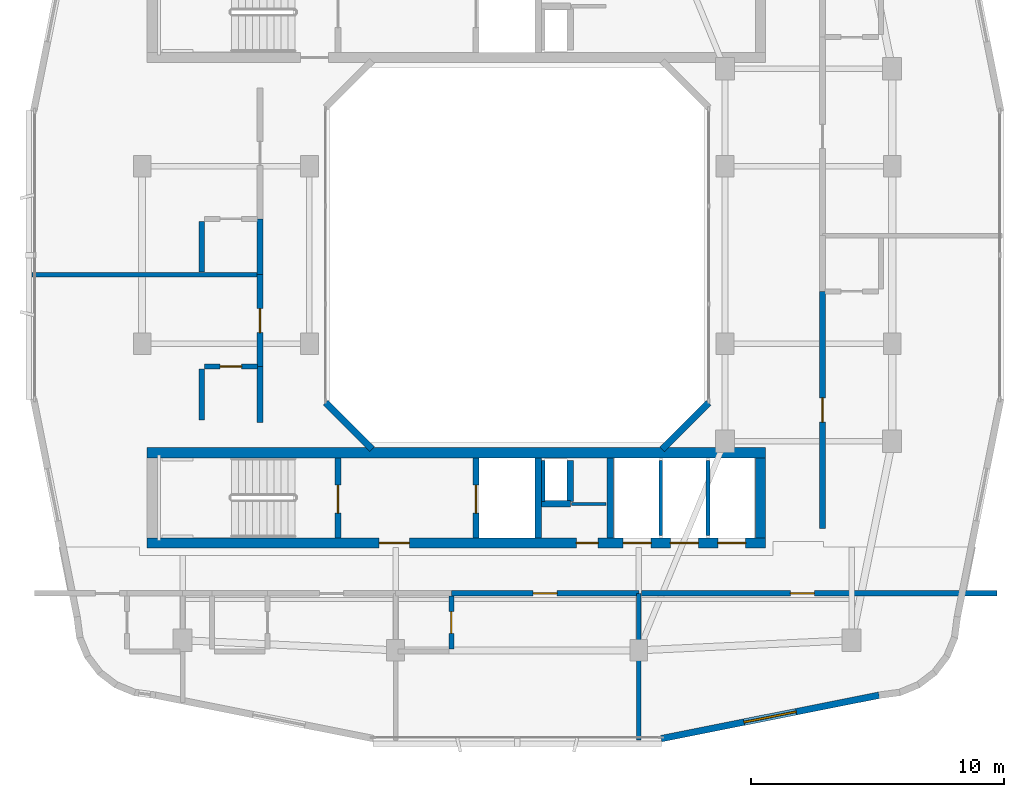
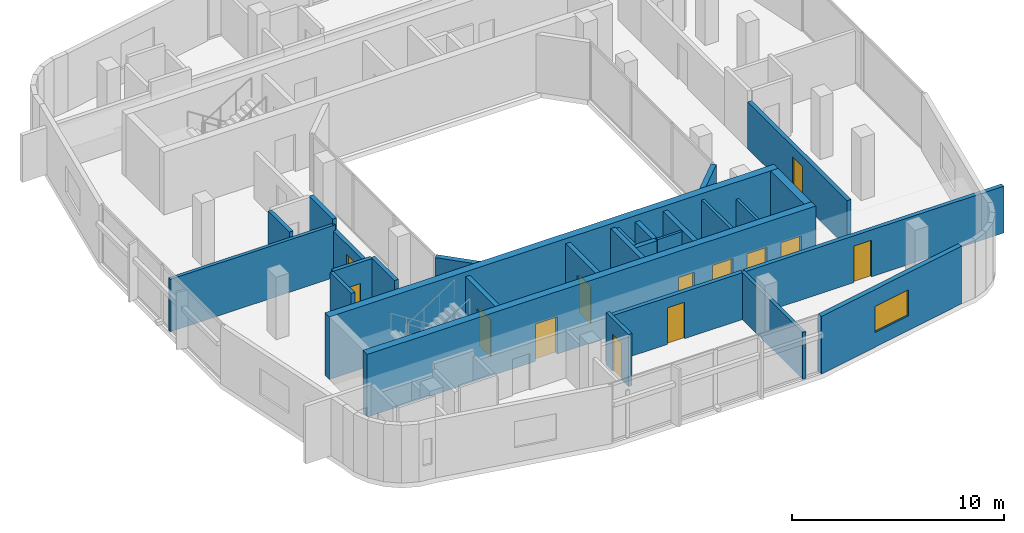
# One storey, part 7 of 14: 28 walls, 13 doors, 1 window, 14 openings.
"""IFC4 building model written with IfcOpenShell, lengths in metres."""

from ifc_helpers import new_model, si_unit, derived_unit, direction, frame, frame_2d, origin, place, context, subcontext, project, spatial, rectangle, extrude, material, layer, layer_set, type_object, element, fill, save


model = new_model("IFC4")

# Units and contexts
model_context = context("Model", 3, precision=1e-05, world=origin(), true_north=direction((0.0, 1.0)))
body_context = subcontext(model_context, "Body", "Model", "MODEL_VIEW")
ifc_project = project(units=[si_unit("LENGTHUNIT", "METRE"), si_unit("AREAUNIT", "SQUARE_METRE"), si_unit("VOLUMEUNIT", "CUBIC_METRE"), si_unit("PLANEANGLEUNIT", "RADIAN"), si_unit("MASSUNIT", "GRAM", prefix="KILO"), derived_unit("THERMALTRANSMITTANCEUNIT", [(si_unit("POWERUNIT", "WATT"), 1), (si_unit("LENGTHUNIT", "METRE"), -2), (si_unit("THERMODYNAMICTEMPERATUREUNIT", "KELVIN"), -1)])], contexts=[model_context])

# Site, building, storey
site_placement = place(None, origin())
site = spatial("IfcSite", under=ifc_project, at=site_placement, CompositionType="ELEMENT")
building_placement = place(site_placement, origin())
building = spatial("IfcBuilding", under=site, at=building_placement, Name="Kivonza Crest Hotel", CompositionType="ELEMENT")
storey_placement = place(building_placement, frame((0.0, 0.0, 217.10009765625)))
storey = spatial("IfcBuildingStorey", under=building, at=storey_placement, Name="L59", CompositionType="ELEMENT", Elevation=217.10009765625)

# Walls
ifc_material_1 = material(Name="High-density acoustic masonry inter-tenancy wall", Category="masonry")
ifc_layer_1 = layer(ifc_material_1, 0.179931640625)
ifc_layer_set_1 = layer_set([ifc_layer_1], Name="High-density acoustic masonry inter-tenancy wall")
wall_type_1 = type_object("IfcWallType", Name="WL-ACOU-180", PredefinedType="SOLIDWALL", material=ifc_layer_set_1)
wall_1_placement = place(storey_placement, frame((25.800048828125, 5.860107421875, 0.0), z_axis=(0.0, 0.0, 1.0), x_axis=(0.0, 1.0, 0.0)))
element("IfcWall", 1, at=wall_1_placement, inside=storey, type_object=wall_type_1, Name="L59 interior partition WA-L59-T1S-DIV3", PredefinedType="SOLIDWALL", context=body_context, shape_type="SweptSolid", body=[
    extrude(rectangle(XDim=5.789794921875, YDim=0.179931640625, at=frame_2d((2.89501953125, 0.0))), origin(), (0.0, 0.0, 1.0), 2.69482421875),
])
wall_2_placement = place(storey_placement, frame((1.860107421875, 24.22998046875, 0.0), z_axis=(0.0, 0.0, 1.0), x_axis=(1.0, 0.0, 0.0)))
element("IfcWall", 2, at=wall_2_placement, inside=storey, type_object=wall_type_1, Name="L59 interior partition WA-L59-T1W-DIV1", PredefinedType="SOLIDWALL", context=body_context, shape_type="SweptSolid", body=[
    extrude(rectangle(XDim=8.989990234375, YDim=0.179931640625, at=frame_2d((4.4951171875, 0.0))), origin(), (0.0, 0.0, 1.0), 3.014892578125),
])

# Wall, opening, door
ifc_material_2 = material(Name="Autoclaved aerated concrete blockwork", Category="masonry")
ifc_layer_2 = layer(ifc_material_2, 0.219970703125)
ifc_layer_set_2 = layer_set([ifc_layer_2], Name="Autoclaved aerated concrete blockwork")
wall_type_2 = type_object("IfcWallType", Name="WL-ACOU-220", PredefinedType="SOLIDWALL", material=ifc_layer_set_2)
wall_3_placement = place(storey_placement, frame((18.39990234375, 11.64990234375, 0.0), z_axis=(0.0, 0.0, 1.0), x_axis=(1.0, 0.0, 0.0)))
wall_3 = element("IfcWall", 3, at=wall_3_placement, inside=storey, type_object=wall_type_2, Name="L59 interior partition WA-L59-S06-MCORR", PredefinedType="SOLIDWALL", context=body_context, shape_type="SweptSolid", body=[
    extrude(rectangle(XDim=7.400146484375, YDim=0.219970703125, at=frame_2d((3.7001953125, 0.0))), origin(), (0.0, 0.0, 1.0), 2.69482421875),
])
opening_1_placement = place(wall_3_placement, frame((3.22509765625, 0.0, 0.0)))
opening_1 = element("IfcOpeningElement", 4, at=opening_1_placement, cuts=wall_3, Name="Opening DU-60", PredefinedType="OPENING", context=body_context, shape_type="SweptSolid", body=[
    extrude(rectangle(XDim=0.949951171875, YDim=2.10009765625, at=frame_2d((0.47509765625, 1.050048828125))), frame((0.0, 0.1201171875, 0.0), z_axis=(0.0, -1.0, 0.0), x_axis=(1.0, 0.0, 0.0)), (0.0, 0.0, 1.0), 0.239990234375),
])
ifc_material_3 = material(Name="Hardwood timber oak", Category="wood")
door_type_1 = type_object("IfcDoorType", Name="DR-UNIT-950", OperationType="NOTDEFINED", PredefinedType="DOOR", material=ifc_material_3)
door_1_placement = place(opening_1_placement, frame((0.949951171875, 0.0, 0.0), z_axis=(0.0, 0.0, 1.0), x_axis=(-1.0, 0.0, 0.0)))
door_1 = element("IfcDoor", 5, at=door_1_placement, inside=storey, type_object=door_type_1, Name="L59 S06 guest unit entrance fire door", OperationType="SINGLE_SWING_RIGHT", OverallHeight=2.10009765625, OverallWidth=0.949951171875, PredefinedType="DOOR", context=body_context, shape_type="SweptSolid", body=[
    extrude(rectangle(XDim=0.949951171875, YDim=2.10009765625, at=frame_2d((0.47509765625, 1.050048828125))), frame((0.0, 0.02490234375, 0.0), z_axis=(0.0, -1.0, 0.0), x_axis=(1.0, 0.0, 0.0)), (0.0, 0.0, 1.0), 0.050048828125),
])
fill(opening_1, door_1)

wall_4_placement = place(storey_placement, frame((25.89990234375, 11.64990234375, 0.0), z_axis=(0.0, 0.0, 1.0), x_axis=(1.0, 0.0, 0.0)))
wall_4 = element("IfcWall", 6, at=wall_4_placement, inside=storey, type_object=wall_type_2, Name="L59 interior partition WA-L59-BUS-MTG-N", PredefinedType="SOLIDWALL", context=body_context, shape_type="SweptSolid", body=[
    extrude(rectangle(XDim=14.0400390625, YDim=0.219970703125, at=frame_2d((7.02001953125, 0.0))), origin(), (0.0, 0.0, 1.0), 2.69482421875),
])
opening_2_placement = place(wall_4_placement, frame((5.881103515625, 0.0, 0.0)))
opening_2 = element("IfcOpeningElement", 7, at=opening_2_placement, cuts=wall_4, Name="Opening DF-60S", PredefinedType="OPENING", context=body_context, shape_type="SweptSolid", body=[
    extrude(rectangle(XDim=0.949951171875, YDim=2.10009765625, at=frame_2d((0.47509765625, 1.050048828125))), frame((0.0, 0.1201171875, 0.0), z_axis=(0.0, -1.0, 0.0), x_axis=(1.0, 0.0, 0.0)), (0.0, 0.0, 1.0), 0.239990234375),
])
door_type_2 = type_object("IfcDoorType", Name="DR-FD60-950", OperationType="NOTDEFINED", PredefinedType="DOOR", material=ifc_material_3)
door_2_placement = place(opening_2_placement, frame((0.949951171875, 0.0, 0.0), z_axis=(0.0, 0.0, 1.0), x_axis=(-1.0, 0.0, 0.0)))
door_2 = element("IfcDoor", 8, at=door_2_placement, inside=storey, type_object=door_type_2, Name="L59 Guest Business Office door", OperationType="SINGLE_SWING_RIGHT", OverallHeight=2.10009765625, OverallWidth=0.949951171875, PredefinedType="DOOR", context=body_context, shape_type="SweptSolid", body=[
    extrude(rectangle(XDim=0.949951171875, YDim=2.10009765625, at=frame_2d((0.47509765625, 1.050048828125))), frame((0.0, 0.02490234375, 0.0), z_axis=(0.0, -1.0, 0.0), x_axis=(1.0, 0.0, 0.0)), (0.0, 0.0, 1.0), 0.050048828125),
])
fill(opening_2, door_2)

# Wall
wall_5_placement = place(storey_placement, frame((10.85009765625, 18.39990234375, 0.0), z_axis=(0.0, 0.0, 1.0), x_axis=(0.0, 1.0, 0.0)))
element("IfcWall", 9, at=wall_5_placement, inside=storey, type_object=wall_type_2, Name="L59 interior partition WA-L59-W07-BCORR", PredefinedType="SOLIDWALL", context=body_context, shape_type="SweptSolid", body=[
    extrude(rectangle(XDim=2.2001953125, YDim=0.219970703125, at=frame_2d((1.10009765625, 0.0))), origin(), (0.0, 0.0, 1.0), 3.31982421875),
])

# Wall, opening, door
wall_6_placement = place(storey_placement, frame((10.85009765625, 20.60009765625, 0.0), z_axis=(0.0, 0.0, 1.0), x_axis=(0.0, 1.0, 0.0)))
wall_6 = element("IfcWall", 10, at=wall_6_placement, inside=storey, type_object=wall_type_2, Name="L59 interior partition WA-L59-W07-MCORR", PredefinedType="SOLIDWALL", context=body_context, shape_type="SweptSolid", body=[
    extrude(rectangle(XDim=3.6298828125, YDim=0.219970703125, at=frame_2d((1.81494140625, 0.0))), origin(), (0.0, 0.0, 1.0), 2.69482421875),
])
opening_3_placement = place(wall_6_placement, frame((1.340087890625, 0.0, 0.0)))
opening_3 = element("IfcOpeningElement", 11, at=opening_3_placement, cuts=wall_6, Name="Opening DU-60", PredefinedType="OPENING", context=body_context, shape_type="SweptSolid", body=[
    extrude(rectangle(XDim=0.949951171875, YDim=2.10009765625, at=frame_2d((0.47509765625, 1.050048828125))), frame((0.0, 0.1201171875, 0.0), z_axis=(0.0, -1.0, 0.0), x_axis=(1.0, 0.0, 0.0)), (0.0, 0.0, 1.0), 0.239990234375),
])
door_3_placement = place(opening_3_placement, origin())
door_3 = element("IfcDoor", 12, at=door_3_placement, inside=storey, type_object=door_type_1, Name="L59 W07 guest unit entrance fire door", OperationType="SINGLE_SWING_LEFT", OverallHeight=2.10009765625, OverallWidth=0.949951171875, PredefinedType="DOOR", context=body_context, shape_type="SweptSolid", body=[
    extrude(rectangle(XDim=0.949951171875, YDim=2.10009765625, at=frame_2d((0.47509765625, 1.050048828125))), frame((0.0, 0.02490234375, 0.0), z_axis=(0.0, -1.0, 0.0), x_axis=(1.0, 0.0, 0.0)), (0.0, 0.0, 1.0), 0.050048828125),
])
fill(opening_3, door_3)

# Wall
wall_7_placement = place(storey_placement, frame((10.85009765625, 24.22998046875, 0.0), z_axis=(0.0, 0.0, 1.0), x_axis=(0.0, 1.0, 0.0)))
element("IfcWall", 13, at=wall_7_placement, inside=storey, type_object=wall_type_2, Name="L59 interior partition WA-L59-W08-BCORR", PredefinedType="SOLIDWALL", context=body_context, shape_type="SweptSolid", body=[
    extrude(rectangle(XDim=2.199951171875, YDim=0.219970703125, at=frame_2d((1.10009765625, 0.0))), origin(), (0.0, 0.0, 1.0), 3.31982421875),
])

# Wall, opening, door
wall_8_placement = place(storey_placement, frame((33.050048828125, 14.199951171875, 0.0), z_axis=(0.0, 0.0, 1.0), x_axis=(0.0, 1.0, 0.0)))
wall_8 = element("IfcWall", 14, at=wall_8_placement, inside=storey, type_object=wall_type_2, Name="L59 interior partition WA-L59-E09-MCORR", PredefinedType="SOLIDWALL", context=body_context, shape_type="SweptSolid", body=[
    extrude(rectangle(XDim=9.3701171875, YDim=0.219970703125, at=frame_2d((4.68505859375, 0.0))), origin(), (0.0, 0.0, 1.0), 2.69482421875),
])
opening_4_placement = place(wall_8_placement, frame((4.2099609375, 0.0, 0.0)))
opening_4 = element("IfcOpeningElement", 15, at=opening_4_placement, cuts=wall_8, Name="Opening DU-60", PredefinedType="OPENING", context=body_context, shape_type="SweptSolid", body=[
    extrude(rectangle(XDim=0.949951171875, YDim=2.10009765625, at=frame_2d((0.47509765625, 1.050048828125))), frame((0.0, 0.1201171875, 0.0), z_axis=(0.0, -1.0, 0.0), x_axis=(1.0, 0.0, 0.0)), (0.0, 0.0, 1.0), 0.239990234375),
])
door_4_placement = place(opening_4_placement, frame((0.949951171875, 0.0, 0.0), z_axis=(0.0, 0.0, 1.0), x_axis=(-1.0, 0.0, 0.0)))
door_4 = element("IfcDoor", 16, at=door_4_placement, inside=storey, type_object=door_type_1, Name="L59 E09 guest unit entrance fire door", OperationType="SINGLE_SWING_LEFT", OverallHeight=2.10009765625, OverallWidth=0.949951171875, PredefinedType="DOOR", context=body_context, shape_type="SweptSolid", body=[
    extrude(rectangle(XDim=0.949951171875, YDim=2.10009765625, at=frame_2d((0.47509765625, 1.050048828125))), frame((0.0, 0.02490234375, 0.0), z_axis=(0.0, -1.0, 0.0), x_axis=(1.0, 0.0, 0.0)), (0.0, 0.0, 1.0), 0.050048828125),
])
fill(opening_4, door_4)

# Wall, openings, doors
ifc_material_4 = material(Name="Concrete C50/60", Category="concrete")
ifc_layer_3 = layer(ifc_material_4, 0.39990234375)
ifc_layer_set_3 = layer_set([ifc_layer_3], Name="Concrete C50/60")
wall_type_3 = type_object("IfcWallType", Name="WL-CORE-400", PredefinedType="SHEAR", material=ifc_layer_set_3)
wall_9_placement = place(storey_placement, frame((6.39990234375, 13.639892578125, 0.0), z_axis=(0.0, 0.0, 1.0), x_axis=(1.0, 0.0, 0.0)))
wall_9 = element("IfcWall", 17, at=wall_9_placement, inside=storey, type_object=wall_type_3, Name="Core wall T1-S South L59", PredefinedType="SHEAR", context=body_context, shape_type="SweptSolid", body=[
    extrude(rectangle(XDim=24.400146484375, YDim=0.39990234375, at=frame_2d((12.2001953125, 0.0))), origin(), (0.0, 0.0, 1.0), 3.599853515625),
])
opening_5_placement = place(wall_9_placement, frame((9.14990234375, 0.0, 0.0)))
opening_5 = element("IfcOpeningElement", 18, at=opening_5_placement, cuts=wall_9, Name="Opening DF-60", PredefinedType="OPENING", context=body_context, shape_type="SweptSolid", body=[
    extrude(rectangle(XDim=1.199951171875, YDim=2.14990234375, at=frame_2d((0.60009765625, 1.074951171875))), frame((0.0, 0.2099609375, 0.0), z_axis=(0.0, -1.0, 0.0), x_axis=(1.0, 0.0, 0.0)), (0.0, 0.0, 1.0), 0.419921875),
])
opening_6_placement = place(wall_9_placement, frame((16.93994140625, 0.0, 0.0)))
opening_6 = element("IfcOpeningElement", 19, at=opening_6_placement, cuts=wall_9, Name="Opening DF-60R", PredefinedType="OPENING", context=body_context, shape_type="SweptSolid", body=[
    extrude(rectangle(XDim=0.85009765625, YDim=2.10009765625, at=frame_2d((0.425048828125, 1.050048828125))), frame((0.0, 0.2099609375, 0.0), z_axis=(0.0, -1.0, 0.0), x_axis=(1.0, 0.0, 0.0)), (0.0, 0.0, 1.0), 0.419921875),
])
opening_7_placement = place(wall_9_placement, frame((18.782958984375, 0.0, 0.0)))
opening_7 = element("IfcOpeningElement", 20, at=opening_7_placement, cuts=wall_9, Name="Opening LD-120", PredefinedType="OPENING", context=body_context, shape_type="SweptSolid", body=[
    extrude(rectangle(XDim=1.10009765625, YDim=2.14990234375, at=frame_2d((0.550048828125, 1.074951171875))), frame((0.0, 0.2099609375, 0.0), z_axis=(0.0, -1.0, 0.0), x_axis=(1.0, 0.0, 0.0)), (0.0, 0.0, 1.0), 0.419921875),
])
opening_8_placement = place(wall_9_placement, frame((20.64990234375, 0.0, 0.0)))
opening_8 = element("IfcOpeningElement", 21, at=opening_8_placement, cuts=wall_9, Name="Opening LD-120", PredefinedType="OPENING", context=body_context, shape_type="SweptSolid", body=[
    extrude(rectangle(XDim=1.10009765625, YDim=2.14990234375, at=frame_2d((0.550048828125, 1.074951171875))), frame((0.0, 0.2099609375, 0.0), z_axis=(0.0, -1.0, 0.0), x_axis=(1.0, 0.0, 0.0)), (0.0, 0.0, 1.0), 0.419921875),
])
opening_9_placement = place(wall_9_placement, frame((22.51708984375, 0.0, 0.0)))
opening_9 = element("IfcOpeningElement", 22, at=opening_9_placement, cuts=wall_9, Name="Opening LD-120", PredefinedType="OPENING", context=body_context, shape_type="SweptSolid", body=[
    extrude(rectangle(XDim=1.10009765625, YDim=2.14990234375, at=frame_2d((0.550048828125, 1.074951171875))), frame((0.0, 0.2099609375, 0.0), z_axis=(0.0, -1.0, 0.0), x_axis=(1.0, 0.0, 0.0)), (0.0, 0.0, 1.0), 0.419921875),
])
door_type_3 = type_object("IfcDoorType", Name="DR-FD60-1200", OperationType="NOTDEFINED", PredefinedType="DOOR", material=ifc_material_3)
door_5_placement = place(opening_5_placement, frame((1.199951171875, 0.0, 0.0), z_axis=(0.0, 0.0, 1.0), x_axis=(-1.0, 0.0, 0.0)))
door_5 = element("IfcDoor", 23, at=door_5_placement, inside=storey, type_object=door_type_3, Name="L59 T1-S firefighting lobby fire door", OperationType="SINGLE_SWING_LEFT", OverallHeight=2.14990234375, OverallWidth=1.199951171875, PredefinedType="DOOR", context=body_context, shape_type="SweptSolid", body=[
    extrude(rectangle(XDim=1.199951171875, YDim=2.14990234375, at=frame_2d((0.60009765625, 1.074951171875))), frame((0.0, 0.02490234375, 0.0), z_axis=(0.0, -1.0, 0.0), x_axis=(1.0, 0.0, 0.0)), (0.0, 0.0, 1.0), 0.050048828125),
])
fill(opening_5, door_5)
door_type_4 = type_object("IfcDoorType", Name="DR-FD60-850", OperationType="NOTDEFINED", PredefinedType="DOOR", material=ifc_material_3)
door_6_placement = place(opening_6_placement, frame((0.85009765625, 0.0, 0.0), z_axis=(0.0, 0.0, 1.0), x_axis=(-1.0, 0.0, 0.0)))
door_6 = element("IfcDoor", 24, at=door_6_placement, inside=storey, type_object=door_type_4, Name="L59 T1-S core room door", OperationType="SINGLE_SWING_RIGHT", OverallHeight=2.10009765625, OverallWidth=0.85009765625, PredefinedType="DOOR", context=body_context, shape_type="SweptSolid", body=[
    extrude(rectangle(XDim=0.85009765625, YDim=2.10009765625, at=frame_2d((0.425048828125, 1.050048828125))), frame((0.0, 0.02490234375, 0.0), z_axis=(0.0, -1.0, 0.0), x_axis=(1.0, 0.0, 0.0)), (0.0, 0.0, 1.0), 0.050048828125),
])
fill(opening_6, door_6)
ifc_material_5 = material(Name="Stainless steel", Category="steel")
door_type_5 = type_object("IfcDoorType", Name="DR-LD120-1100", OperationType="NOTDEFINED", PredefinedType="DOOR", material=ifc_material_5)
door_7_placement = place(opening_7_placement, frame((1.10009765625, 0.0, 0.0), z_axis=(0.0, 0.0, 1.0), x_axis=(-1.0, 0.0, 0.0)))
door_7 = element("IfcDoor", 25, at=door_7_placement, inside=storey, type_object=door_type_5, Name="L59 PL-T1-H1 passenger lift sliding landing door", OperationType="DOUBLE_DOOR_SLIDING", OverallHeight=2.14990234375, OverallWidth=1.10009765625, PredefinedType="DOOR", context=body_context, shape_type="SweptSolid", body=[
    extrude(rectangle(XDim=1.10009765625, YDim=2.14990234375, at=frame_2d((0.550048828125, 1.074951171875))), frame((0.0, 0.02490234375, 0.0), z_axis=(0.0, -1.0, 0.0), x_axis=(1.0, 0.0, 0.0)), (0.0, 0.0, 1.0), 0.050048828125),
])
fill(opening_7, door_7)
door_8_placement = place(opening_8_placement, frame((1.10009765625, 0.0, 0.0), z_axis=(0.0, 0.0, 1.0), x_axis=(-1.0, 0.0, 0.0)))
door_8 = element("IfcDoor", 26, at=door_8_placement, inside=storey, type_object=door_type_5, Name="L59 PL-T1-H2 passenger lift sliding landing door", OperationType="DOUBLE_DOOR_SLIDING", OverallHeight=2.14990234375, OverallWidth=1.10009765625, PredefinedType="DOOR", context=body_context, shape_type="SweptSolid", body=[
    extrude(rectangle(XDim=1.10009765625, YDim=2.14990234375, at=frame_2d((0.550048828125, 1.074951171875))), frame((0.0, 0.02490234375, 0.0), z_axis=(0.0, -1.0, 0.0), x_axis=(1.0, 0.0, 0.0)), (0.0, 0.0, 1.0), 0.050048828125),
])
fill(opening_8, door_8)
door_9_placement = place(opening_9_placement, frame((1.10009765625, 0.0, 0.0), z_axis=(0.0, 0.0, 1.0), x_axis=(-1.0, 0.0, 0.0)))
door_9 = element("IfcDoor", 27, at=door_9_placement, inside=storey, type_object=door_type_5, Name="L59 PL-T1-H3 passenger lift sliding landing door", OperationType="DOUBLE_DOOR_SLIDING", OverallHeight=2.14990234375, OverallWidth=1.10009765625, PredefinedType="DOOR", context=body_context, shape_type="SweptSolid", body=[
    extrude(rectangle(XDim=1.10009765625, YDim=2.14990234375, at=frame_2d((0.550048828125, 1.074951171875))), frame((0.0, 0.02490234375, 0.0), z_axis=(0.0, -1.0, 0.0), x_axis=(1.0, 0.0, 0.0)), (0.0, 0.0, 1.0), 0.050048828125),
])
fill(opening_9, door_9)

# Walls
wall_10_placement = place(storey_placement, frame((6.39990234375, 17.199951171875, 0.0), z_axis=(0.0, 0.0, 1.0), x_axis=(1.0, 0.0, 0.0)))
element("IfcWall", 28, at=wall_10_placement, inside=storey, type_object=wall_type_3, Name="Core wall T1-S North L59", PredefinedType="SHEAR", context=body_context, shape_type="SweptSolid", body=[
    extrude(rectangle(XDim=24.400146484375, YDim=0.39990234375, at=frame_2d((12.2001953125, 0.0))), origin(), (0.0, 0.0, 1.0), 3.599853515625),
])
wall_11_placement = place(storey_placement, frame((30.60009765625, 13.840087890625, 0.0), z_axis=(0.0, 0.0, 1.0), x_axis=(0.0, 1.0, 0.0)))
element("IfcWall", 29, at=wall_11_placement, inside=storey, type_object=wall_type_3, Name="Core wall T1-S East L59", PredefinedType="SHEAR", context=body_context, shape_type="SweptSolid", body=[
    extrude(rectangle(XDim=3.159912109375, YDim=0.39990234375, at=frame_2d((1.580078125, 0.0))), origin(), (0.0, 0.0, 1.0), 3.599853515625),
])

# Wall, opening, window
ifc_material_6 = material(Name="Precast concrete C40/50", Category="concrete")
ifc_layer_4 = layer(ifc_material_6, 0.260009765625)
ifc_layer_set_4 = layer_set([ifc_layer_4], Name="Precast concrete C40/50")
wall_type_4 = type_object("IfcWallType", Name="WL-EXT-260", PredefinedType="STANDARD", material=ifc_layer_set_4)
wall_12_placement = place(storey_placement, frame((26.680908203125, 5.916015625, 0.0), z_axis=(0.0, 0.0, 1.0), x_axis=(0.980745199176, 0.195291715883, 0.0)))
wall_12 = element("IfcWall", 30, at=wall_12_placement, inside=storey, type_object=wall_type_4, Name="L59 T1 exterior insulated wall 9", PredefinedType="STANDARD", context=body_context, shape_type="SweptSolid", body=[
    extrude(rectangle(XDim=8.77099609375, YDim=0.260009765625, at=frame_2d((4.385498046875, 0.0))), origin(), (0.0, 0.0, 1.0), 3.31982421875),
])
opening_10_placement = place(wall_12_placement, frame((3.3349609375, 0.0, 0.85009765625)))
opening_10 = element("IfcOpeningElement", 31, at=opening_10_placement, cuts=wall_12, Name="Opening WN-04", PredefinedType="OPENING", context=body_context, shape_type="SweptSolid", body=[
    extrude(rectangle(XDim=2.10009765625, YDim=1.5, at=frame_2d((1.050048828125, 0.75))), frame((0.0, 0.14013671875, 0.0), z_axis=(0.0, -1.0, 0.0), x_axis=(1.0, 0.0, 0.0)), (0.0, 0.0, 1.0), 0.280029296875),
])
ifc_material_7 = material(Name="Thermally broken bronze aluminium and low-E double glazing", Category="aluminium")
window_type = type_object("IfcWindowType", Name="WN-210x150", PartitioningType="DOUBLE_PANEL_VERTICAL", PredefinedType="WINDOW", material=ifc_material_7)
window_placement = place(opening_10_placement, origin())
window = element("IfcWindow", 32, at=window_placement, inside=storey, type_object=window_type, Name="L59 T1 facade window 9", OverallHeight=1.5, OverallWidth=2.10009765625, PartitioningType="SINGLE_PANEL", PredefinedType="WINDOW", context=body_context, shape_type="SweptSolid", body=[
    extrude(rectangle(XDim=2.10009765625, YDim=1.5, at=frame_2d((1.050048828125, 0.75))), frame((0.0, 0.030029296875, 0.0), z_axis=(0.0, -1.0, 0.0), x_axis=(1.0, 0.0, 0.0)), (0.0, 0.0, 1.0), 0.06005859375),
])
fill(opening_10, window)

# Walls
for number, where, z_axis, x_axis, name in (
    (33, (26.721923828125, 17.337890625, 0.0), (0.0, 0.0, 1.0), (0.707059717605, 0.707153841636, 0.0), "L59 T1 light-well exterior wall 2"),
    (34, (13.444091796875, 19.172119140625, 0.0), (0.0, 0.0, 1.0), (0.707059717605, -0.707153841636, 0.0), "L59 T1 light-well exterior wall 8"),
):
    element("IfcWall", number, at=place(storey_placement, frame(where, z_axis=z_axis, x_axis=x_axis)), inside=storey, type_object=wall_type_4, Name=name, PredefinedType="STANDARD", context=body_context, shape_type="SweptSolid", body=[
        extrude(rectangle(XDim=2.59375, YDim=0.260009765625, at=frame_2d((1.296875, 0.0))), origin(), (0.0, 0.0, 1.0), 3.31982421875),
    ])
ifc_material_8 = material(Name="Concrete blockwork fire-compartment wall", Category="masonry")
ifc_layer_5 = layer(ifc_material_8, 0.25)
ifc_layer_set_5 = layer_set([ifc_layer_5], Name="Concrete blockwork fire-compartment wall")
wall_type_5 = type_object("IfcWallType", Name="WL-FIRE-250", PredefinedType="SOLIDWALL", material=ifc_layer_set_5)
wall_13_placement = place(storey_placement, frame((23.10009765625, 15.280029296875, 0.0), z_axis=(0.0, 0.0, 1.0), x_axis=(0.0, 1.0, 0.0)))
element("IfcWall", 35, at=wall_13_placement, inside=storey, type_object=wall_type_5, Name="L59 interior partition WA-L59-T1-S-MEPR-E", PredefinedType="SOLIDWALL", context=body_context, shape_type="SweptSolid", body=[
    extrude(rectangle(XDim=1.619873046875, YDim=0.25, at=frame_2d((0.81005859375, 0.0))), origin(), (0.0, 0.0, 1.0), 3.31982421875),
])
wall_14_placement = place(storey_placement, frame((21.949951171875, 15.179931640625, 0.0), z_axis=(0.0, 0.0, 1.0), x_axis=(1.0, 0.0, 0.0)))
element("IfcWall", 36, at=wall_14_placement, inside=storey, type_object=wall_type_5, Name="L59 interior partition WA-L59-T1-S-MEPR-H", PredefinedType="SOLIDWALL", context=body_context, shape_type="SweptSolid", body=[
    extrude(rectangle(XDim=1.150146484375, YDim=0.25, at=frame_2d((0.5751953125, 0.0))), origin(), (0.0, 0.0, 1.0), 3.31982421875),
])
ifc_material_9 = material(Name="Metal-stud gypsum board partition", Category="gypsum")
ifc_layer_6 = layer(ifc_material_9, 0.125)
ifc_layer_set_6 = layer_set([ifc_layer_6], Name="Metal-stud gypsum board partition")
wall_type_6 = type_object("IfcWallType", Name="WL-PART-125", PredefinedType="PARTITIONING", material=ifc_layer_set_6)
wall_15_placement = place(storey_placement, frame((23.14990234375, 15.179931640625, 0.0), z_axis=(0.0, 0.0, 1.0), x_axis=(1.0, 0.0, 0.0)))
element("IfcWall", 37, at=wall_15_placement, inside=storey, type_object=wall_type_6, Name="L59 interior partition WP-L59-T1-S-SV2H", PredefinedType="PARTITIONING", context=body_context, shape_type="SweptSolid", body=[
    extrude(rectangle(XDim=1.35009765625, YDim=0.125, at=frame_2d((0.675048828125, 0.0))), origin(), (0.0, 0.0, 1.0), 3.31982421875),
])
ifc_material_10 = material(Name="Twin-stud acoustic gypsum board partition", Category="gypsum")
ifc_layer_7 = layer(ifc_material_10, 0.14990234375)
ifc_layer_set_7 = layer_set([ifc_layer_7], Name="Twin-stud acoustic gypsum board partition")
wall_type_7 = type_object("IfcWallType", Name="WL-PART-150", PredefinedType="PARTITIONING", material=ifc_layer_set_7)
wall_16_placement = place(storey_placement, frame((22.030029296875, 15.280029296875, 0.0), z_axis=(0.0, 0.0, 1.0), x_axis=(0.0, 1.0, 0.0)))
element("IfcWall", 38, at=wall_16_placement, inside=storey, type_object=wall_type_7, Name="L59 interior partition WA-L59-T1-S-MEPR-W", PredefinedType="PARTITIONING", context=body_context, shape_type="SweptSolid", body=[
    extrude(rectangle(XDim=1.619873046875, YDim=0.14990234375, at=frame_2d((0.81005859375, 0.0))), origin(), (0.0, 0.0, 1.0), 3.31982421875),
])
wall_17_placement = place(storey_placement, frame((26.6669921875, 13.93994140625, 0.0), z_axis=(0.0, 0.0, 1.0), x_axis=(0.0, 1.0, 0.0)))
element("IfcWall", 39, at=wall_17_placement, inside=storey, type_object=wall_type_7, Name="L59 interior partition WP-L59-T1-S-BSH-1", PredefinedType="PARTITIONING", context=body_context, shape_type="SweptSolid", body=[
    extrude(rectangle(XDim=2.9599609375, YDim=0.14990234375, at=frame_2d((1.47998046875, 0.0))), origin(), (0.0, 0.0, 1.0), 3.31982421875),
])
wall_18_placement = place(storey_placement, frame((28.532958984375, 13.93994140625, 0.0), z_axis=(0.0, 0.0, 1.0), x_axis=(0.0, 1.0, 0.0)))
element("IfcWall", 40, at=wall_18_placement, inside=storey, type_object=wall_type_7, Name="L59 interior partition WP-L59-T1-S-BSH-2", PredefinedType="PARTITIONING", context=body_context, shape_type="SweptSolid", body=[
    extrude(rectangle(XDim=2.9599609375, YDim=0.14990234375, at=frame_2d((1.47998046875, 0.0))), origin(), (0.0, 0.0, 1.0), 2.69482421875),
])

# Wall, opening, door
ifc_material_11 = material(Name="Moisture-resistant plumbing chase partition wall", Category="gypsum")
ifc_layer_8 = layer(ifc_material_11, 0.199951171875)
ifc_layer_set_8 = layer_set([ifc_layer_8], Name="Moisture-resistant plumbing chase partition wall")
wall_type_8 = type_object("IfcWallType", Name="WL-PLUMB-200", PredefinedType="PLUMBINGWALL", material=ifc_layer_set_8)
wall_19_placement = place(storey_placement, frame((18.39990234375, 9.449951171875, 0.0), z_axis=(0.0, 0.0, 1.0), x_axis=(0.0, 1.0, 0.0)))
wall_19 = element("IfcWall", 41, at=wall_19_placement, inside=storey, type_object=wall_type_8, Name="L59 interior partition WW-L59-S06-BV", PredefinedType="PLUMBINGWALL", context=body_context, shape_type="SweptSolid", body=[
    extrude(rectangle(XDim=2.10009765625, YDim=0.199951171875, at=frame_2d((1.050048828125, 0.0))), origin(), (0.0, 0.0, 1.0), 2.994873046875),
])
opening_11_placement = place(wall_19_placement, frame((0.625, 0.0, 0.0)))
opening_11 = element("IfcOpeningElement", 42, at=opening_11_placement, cuts=wall_19, Name="Opening DI-85", PredefinedType="OPENING", context=body_context, shape_type="SweptSolid", body=[
    extrude(rectangle(XDim=0.85009765625, YDim=2.10009765625, at=frame_2d((0.425048828125, 1.050048828125))), frame((0.0, 0.10986328125, 0.0), z_axis=(0.0, -1.0, 0.0), x_axis=(1.0, 0.0, 0.0)), (0.0, 0.0, 1.0), 0.219970703125),
])
door_type_6 = type_object("IfcDoorType", Name="DR-INT-850", OperationType="NOTDEFINED", PredefinedType="DOOR", material=ifc_material_3)
door_10_placement = place(opening_11_placement, frame((0.85009765625, 0.0, 0.0), z_axis=(0.0, 0.0, 1.0), x_axis=(-1.0, 0.0, 0.0)))
door_10 = element("IfcDoor", 43, at=door_10_placement, inside=storey, type_object=door_type_6, Name="L59 S06 en-suite bathroom door", OperationType="SINGLE_SWING_LEFT", OverallHeight=2.10009765625, OverallWidth=0.85009765625, PredefinedType="DOOR", context=body_context, shape_type="SweptSolid", body=[
    extrude(rectangle(XDim=0.85009765625, YDim=2.10009765625, at=frame_2d((0.425048828125, 1.050048828125))), frame((0.0, 0.02490234375, 0.0), z_axis=(0.0, -1.0, 0.0), x_axis=(1.0, 0.0, 0.0)), (0.0, 0.0, 1.0), 0.050048828125),
])
fill(opening_11, door_10)

wall_20_placement = place(storey_placement, frame((8.64990234375, 20.60009765625, 0.0), z_axis=(0.0, 0.0, 1.0), x_axis=(1.0, 0.0, 0.0)))
wall_20 = element("IfcWall", 44, at=wall_20_placement, inside=storey, type_object=wall_type_8, Name="L59 interior partition WW-L59-W07-BH", PredefinedType="PLUMBINGWALL", context=body_context, shape_type="SweptSolid", body=[
    extrude(rectangle(XDim=2.10009765625, YDim=0.199951171875, at=frame_2d((1.050048828125, 0.0))), origin(), (0.0, 0.0, 1.0), 3.31982421875),
])
opening_12_placement = place(wall_20_placement, frame((0.625, 0.0, 0.0)))
opening_12 = element("IfcOpeningElement", 45, at=opening_12_placement, cuts=wall_20, Name="Opening DI-85", PredefinedType="OPENING", context=body_context, shape_type="SweptSolid", body=[
    extrude(rectangle(XDim=0.85009765625, YDim=2.10009765625, at=frame_2d((0.425048828125, 1.050048828125))), frame((0.0, 0.10986328125, 0.0), z_axis=(0.0, -1.0, 0.0), x_axis=(1.0, 0.0, 0.0)), (0.0, 0.0, 1.0), 0.219970703125),
])
door_11_placement = place(opening_12_placement, origin())
door_11 = element("IfcDoor", 46, at=door_11_placement, inside=storey, type_object=door_type_6, Name="L59 W07 en-suite bathroom door", OperationType="SINGLE_SWING_RIGHT", OverallHeight=2.10009765625, OverallWidth=0.85009765625, PredefinedType="DOOR", context=body_context, shape_type="SweptSolid", body=[
    extrude(rectangle(XDim=0.85009765625, YDim=2.10009765625, at=frame_2d((0.425048828125, 1.050048828125))), frame((0.0, 0.02490234375, 0.0), z_axis=(0.0, -1.0, 0.0), x_axis=(1.0, 0.0, 0.0)), (0.0, 0.0, 1.0), 0.050048828125),
])
fill(opening_12, door_11)

# Walls
for number, where, z_axis, x_axis, name in (
    (47, (8.550048828125, 18.5, 0.0), (0.0, 0.0, 1.0), (0.0, 1.0, 0.0), "L59 interior partition WW-L59-W07-BV"),
    (48, (8.550048828125, 24.330078125, 0.0), (0.0, 0.0, 1.0), (0.0, 1.0, 0.0), "L59 interior partition WW-L59-W08-BV"),
):
    element("IfcWall", number, at=place(storey_placement, frame(where, z_axis=z_axis, x_axis=x_axis)), inside=storey, type_object=wall_type_8, Name=name, PredefinedType="PLUMBINGWALL", context=body_context, shape_type="SweptSolid", body=[
        extrude(rectangle(XDim=2.0, YDim=0.199951171875, at=frame_2d((1.0, 0.0))), origin(), (0.0, 0.0, 1.0), 3.31982421875),
    ])

# Wall, opening, door
ifc_layer_9 = layer(ifc_material_4, 0.25)
ifc_layer_set_9 = layer_set([ifc_layer_9], Name="Concrete C50/60")
wall_type_9 = type_object("IfcWallType", Name="WL-SHAFT-250", PredefinedType="STANDARD", material=ifc_layer_set_9)
wall_21_placement = place(storey_placement, frame((13.925048828125, 13.840087890625, 0.0), z_axis=(0.0, 0.0, 1.0), x_axis=(0.0, 1.0, 0.0)))
wall_21 = element("IfcWall", 49, at=wall_21_placement, inside=storey, type_object=wall_type_9, Name="Core shaft wall T1-S STAIR L59", PredefinedType="STANDARD", context=body_context, shape_type="SweptSolid", body=[
    extrude(rectangle(XDim=3.159912109375, YDim=0.25, at=frame_2d((1.580078125, 0.0))), origin(), (0.0, 0.0, 1.0), 3.31982421875),
])
opening_13_placement = place(wall_21_placement, frame((0.97998046875, 0.0, 0.0)))
opening_13 = element("IfcOpeningElement", 50, at=opening_13_placement, cuts=wall_21, Name="Opening DF-120", PredefinedType="OPENING", context=body_context, shape_type="SweptSolid", body=[
    extrude(rectangle(XDim=1.10009765625, YDim=2.14990234375, at=frame_2d((0.550048828125, 1.074951171875))), frame((0.0, 0.135009765625, 0.0), z_axis=(0.0, -1.0, 0.0), x_axis=(1.0, 0.0, 0.0)), (0.0, 0.0, 1.0), 0.27001953125),
])
ifc_material_12 = material(Name="Galvanised steel", Category="steel")
door_type_7 = type_object("IfcDoorType", Name="DR-FD120-1100", OperationType="NOTDEFINED", PredefinedType="DOOR", material=ifc_material_12)
door_12_placement = place(opening_13_placement, frame((1.10009765625, 0.0, 0.0), z_axis=(0.0, 0.0, 1.0), x_axis=(-1.0, 0.0, 0.0)))
door_12 = element("IfcDoor", 51, at=door_12_placement, inside=storey, type_object=door_type_7, Name="L59 T1-S stair fire door", OperationType="SINGLE_SWING_RIGHT", OverallHeight=2.14990234375, OverallWidth=1.10009765625, PredefinedType="DOOR", context=body_context, shape_type="SweptSolid", body=[
    extrude(rectangle(XDim=1.10009765625, YDim=2.14990234375, at=frame_2d((0.550048828125, 1.074951171875))), frame((0.0, 0.02490234375, 0.0), z_axis=(0.0, -1.0, 0.0), x_axis=(1.0, 0.0, 0.0)), (0.0, 0.0, 1.0), 0.050048828125),
])
fill(opening_13, door_12)

wall_22_placement = place(storey_placement, frame((19.375, 13.840087890625, 0.0), z_axis=(0.0, 0.0, 1.0), x_axis=(0.0, 1.0, 0.0)))
wall_22 = element("IfcWall", 52, at=wall_22_placement, inside=storey, type_object=wall_type_9, Name="Core shaft wall T1-S FFL-W L59", PredefinedType="STANDARD", context=body_context, shape_type="SweptSolid", body=[
    extrude(rectangle(XDim=3.159912109375, YDim=0.25, at=frame_2d((1.580078125, 0.0))), origin(), (0.0, 0.0, 1.0), 3.31982421875),
])
opening_14_placement = place(wall_22_placement, frame((0.97998046875, 0.0, 0.0)))
opening_14 = element("IfcOpeningElement", 53, at=opening_14_placement, cuts=wall_22, Name="Opening LD-120", PredefinedType="OPENING", context=body_context, shape_type="SweptSolid", body=[
    extrude(rectangle(XDim=1.10009765625, YDim=2.14990234375, at=frame_2d((0.550048828125, 1.074951171875))), frame((0.0, 0.135009765625, 0.0), z_axis=(0.0, -1.0, 0.0), x_axis=(1.0, 0.0, 0.0)), (0.0, 0.0, 1.0), 0.27001953125),
])
door_13_placement = place(opening_14_placement, origin())
door_13 = element("IfcDoor", 54, at=door_13_placement, inside=storey, type_object=door_type_5, Name="L59 FFL-T1-S firefighting lift sliding landing door", OperationType="DOUBLE_DOOR_SLIDING", OverallHeight=2.14990234375, OverallWidth=1.10009765625, PredefinedType="DOOR", context=body_context, shape_type="SweptSolid", body=[
    extrude(rectangle(XDim=1.10009765625, YDim=2.14990234375, at=frame_2d((0.550048828125, 1.074951171875))), frame((0.0, 0.02490234375, 0.0), z_axis=(0.0, -1.0, 0.0), x_axis=(1.0, 0.0, 0.0)), (0.0, 0.0, 1.0), 0.050048828125),
])
fill(opening_14, door_13)

# Walls
for number, where, z_axis, x_axis, name in (
    (55, (21.824951171875, 13.840087890625, 0.0), (0.0, 0.0, 1.0), (0.0, 1.0, 0.0), "Core shaft wall T1-S FFL-E L59"),
    (56, (24.675048828125, 13.840087890625, 0.0), (0.0, 0.0, 1.0), (0.0, 1.0, 0.0), "Core shaft wall T1-S BANK-W L59"),
):
    element("IfcWall", number, at=place(storey_placement, frame(where, z_axis=z_axis, x_axis=x_axis)), inside=storey, type_object=wall_type_9, Name=name, PredefinedType="STANDARD", context=body_context, shape_type="SweptSolid", body=[
        extrude(rectangle(XDim=3.159912109375, YDim=0.25, at=frame_2d((1.580078125, 0.0))), origin(), (0.0, 0.0, 1.0), 3.31982421875),
    ])

save(model, "model.ifc")
